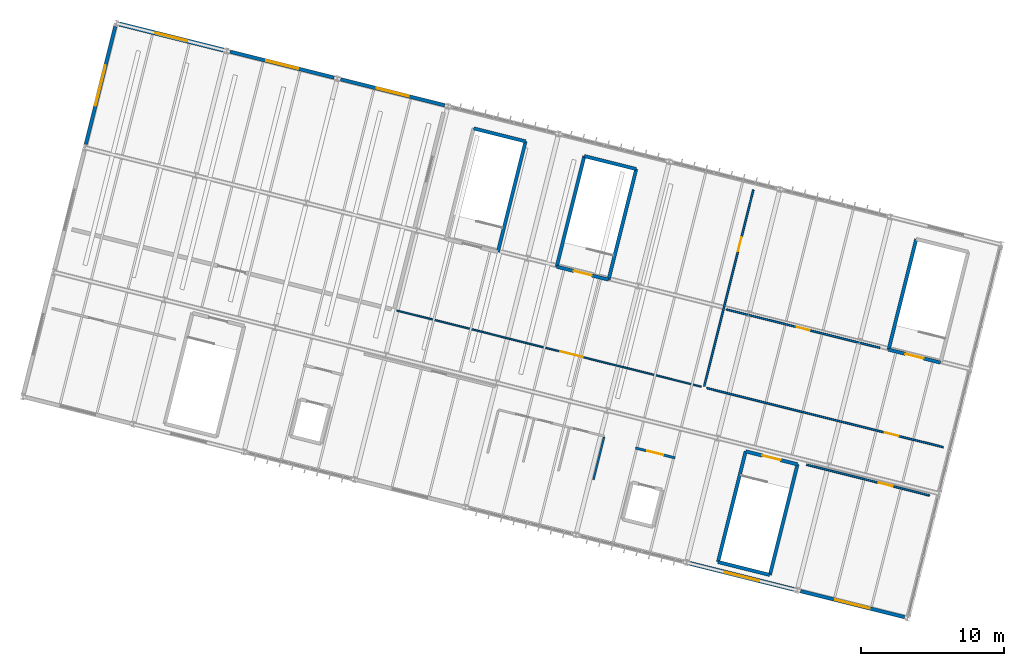
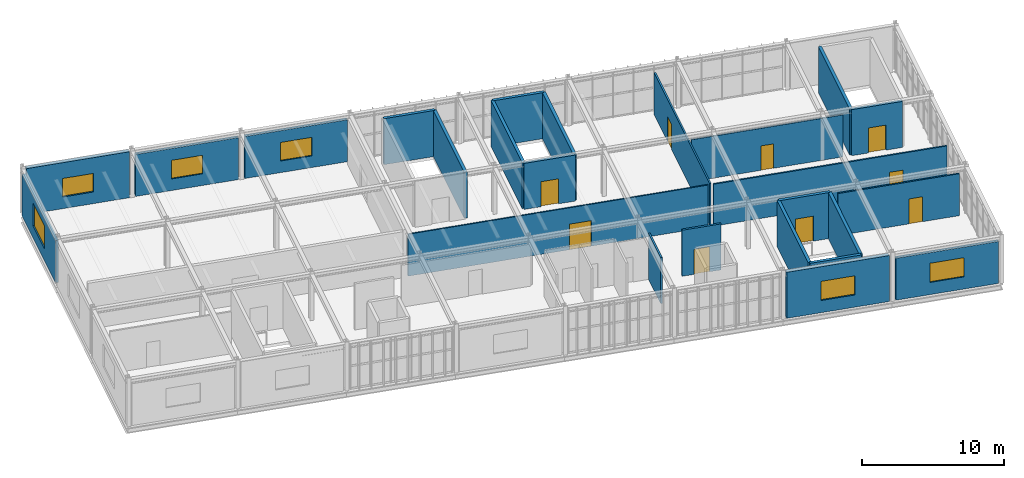
# One storey, part 24 of 30: 25 walls, 9 doors, 6 windows, 15 openings.
"""IFC4 building model written with IfcOpenShell, lengths in metres."""

from ifc_helpers import new_model, si_unit, derived_unit, direction, frame, frame_2d, origin, place, context, subcontext, project, spatial, rectangle, extrude, material, layer, layer_set, type_object, element, fill, save


model = new_model("IFC4")

# Units and contexts
model_context = context("Model", 3, precision=1e-05, world=origin(), true_north=direction((0.0, 1.0)))
body_context = subcontext(model_context, "Body", "Model", "MODEL_VIEW")
ifc_project = project(units=[si_unit("LENGTHUNIT", "METRE"), si_unit("AREAUNIT", "SQUARE_METRE"), si_unit("VOLUMEUNIT", "CUBIC_METRE"), si_unit("PLANEANGLEUNIT", "RADIAN"), si_unit("MASSUNIT", "GRAM", prefix="KILO"), si_unit("THERMODYNAMICTEMPERATUREUNIT", "KELVIN"), si_unit("TIMEUNIT", "SECOND"), derived_unit("THERMALTRANSMITTANCEUNIT", [(si_unit("MASSUNIT", "GRAM", prefix="KILO"), 1), (si_unit("THERMODYNAMICTEMPERATUREUNIT", "KELVIN"), -1), (si_unit("TIMEUNIT", "SECOND"), -3)])], contexts=[model_context])

# Site, building, storey
site_placement = place(None, origin())
site = spatial("IfcSite", under=ifc_project, at=site_placement, CompositionType="ELEMENT")
building_placement = place(site_placement, origin())
building = spatial("IfcBuilding", under=site, at=building_placement, Name="Cambertide Market Hall", CompositionType="ELEMENT")
storey_placement = place(building_placement, frame((0.0, 0.0, 14.10009765625)))
storey = spatial("IfcBuildingStorey", under=building, at=storey_placement, Name="L04", CompositionType="ELEMENT", Elevation=14.10009765625)

# Wall, opening, window
ifc_material_1 = material(Name="Concrete B35", Category="concrete")
ifc_layer_1 = layer(ifc_material_1, 0.31494140625, Name="Auditorium Crown Shear Wall 315")
ifc_layer_set_1 = layer_set([ifc_layer_1], Name="Concrete B35")
wall_type_1 = type_object("IfcWallType", Name="Auditorium Crown Shear Wall 315", PredefinedType="SHEAR", material=ifc_layer_set_1)
wall_1_placement = place(storey_placement, frame((114.78125, 126.1357421875, 0.0), z_axis=(0.0, 0.0, 1.0), x_axis=(0.970138680536, -0.242550902961, 0.0)))
wall_1 = element("IfcWall", 1, at=wall_1_placement, inside=storey, type_object=wall_type_1, Name="Level 4 Exterior Wall EW-L04-V4N-1", PredefinedType="SHEAR", context=body_context, shape_type="SweptSolid", body=[
    extrude(rectangle(XDim=7.52001953125, YDim=0.31494140625, at=frame_2d((3.760009765625, 0.0))), origin(), (0.0, 0.0, 1.0), 3.9599609375),
])
opening_1_placement = place(wall_1_placement, frame((2.610107421875, 0.0, 1.0)))
opening_1 = element("IfcOpeningElement", 2, at=opening_1_placement, cuts=wall_1, Name="Opening WN-09B", PredefinedType="OPENING", context=body_context, shape_type="SweptSolid", body=[
    extrude(rectangle(XDim=2.300048828125, YDim=1.60009765625, at=frame_2d((1.14990234375, 0.800048828125))), frame((0.0, 0.16748046875, 0.0), z_axis=(0.0, -1.0, 0.0), x_axis=(1.0, 0.0, 0.0)), (0.0, 0.0, 1.0), 0.3349609375),
])
ifc_material_2 = material(Name="Low-E Laminated Insulated Glass", Category="glass")
window_type_1 = type_object("IfcWindowType", Name="Auditorium Foyer Window 2300x1600", PartitioningType="SINGLE_PANEL", PredefinedType="WINDOW", material=ifc_material_2)
window_1_placement = place(opening_1_placement, origin())
window_1 = element("IfcWindow", 3, at=window_1_placement, inside=storey, type_object=window_type_1, Name="Level 4 Window EW-L04-V4N-1-WN", OverallHeight=1.60009765625, OverallWidth=2.300048828125, PartitioningType="SINGLE_PANEL", PredefinedType="WINDOW", context=body_context, shape_type="SweptSolid", body=[
    extrude(rectangle(XDim=2.300048828125, YDim=1.60009765625, at=frame_2d((1.14990234375, 0.800048828125))), frame((0.0, 0.030029296875, 0.0), z_axis=(0.0, -1.0, 0.0), x_axis=(1.0, 0.0, 0.0)), (0.0, 0.0, 1.0), 0.06005859375),
])
fill(opening_1, window_1)

# Wall, opening, door
ifc_material_3 = material(Name="Autoclaved Aerated Concrete Blockwork M7.5", Category="masonry")
ifc_layer_2 = layer(ifc_material_3, 0.10498046875, Name="Herb Conservatory Glazed Partition 105")
ifc_layer_set_2 = layer_set([ifc_layer_2], Name="Autoclaved Aerated Concrete Blockwork M7.5")
wall_type_2 = type_object("IfcWallType", Name="Herb Conservatory Glazed Partition 105", PredefinedType="PARTITIONING", material=ifc_layer_set_2)
wall_2_placement = place(storey_placement, frame((134.247314453125, 106.0341796875, 0.0), z_axis=(0.0, 0.0, 1.0), x_axis=(0.970143152928, -0.24253301389, 0.0)))
wall_2 = element("IfcWall", 4, at=wall_2_placement, inside=storey, type_object=wall_type_2, Name="Level 4 Interior Wall IW-L04-CONS", PredefinedType="PARTITIONING", context=body_context, shape_type="SweptSolid", body=[
    extrude(rectangle(XDim=21.999755859375, YDim=0.10498046875, at=frame_2d((11.0, 0.0))), origin(), (0.0, 0.0, 1.0), 3.60986328125),
])
opening_2_placement = place(wall_2_placement, frame((11.83203125, 0.0, 0.0)))
opening_2 = element("IfcOpeningElement", 5, at=opening_2_placement, cuts=wall_2, Name="Opening ID-01", PredefinedType="OPENING", context=body_context, shape_type="SweptSolid", body=[
    extrude(rectangle(XDim=1.60009765625, YDim=2.199951171875, at=frame_2d((0.800048828125, 1.10009765625))), frame((0.0, 0.0625, 0.0), z_axis=(0.0, -1.0, 0.0), x_axis=(1.0, 0.0, 0.0)), (0.0, 0.0, 1.0), 0.125),
])
ifc_material_4 = material(Name="Champagne Marine Anodized Aluminium 6063-T6 AA25", Category="aluminium")
door_type_1 = type_object("IfcDoorType", Name="Classroom & Hall Double Door 1600x2200", OperationType="DOUBLE_DOOR_SINGLE_SWING", PredefinedType="DOOR", material=ifc_material_4)
door_1_placement = place(opening_2_placement, origin())
door_1 = element("IfcDoor", 6, at=door_1_placement, inside=storey, type_object=door_type_1, Name="Level 4 Door IW-L04-CONS-DR1", OperationType="DOUBLE_DOOR_SINGLE_SWING", OverallHeight=2.199951171875, OverallWidth=1.60009765625, PredefinedType="DOOR", context=body_context, shape_type="SweptSolid", body=[
    extrude(rectangle(XDim=1.60009765625, YDim=2.199951171875, at=frame_2d((0.800048828125, 1.10009765625))), frame((0.0, 0.02490234375, 0.0), z_axis=(0.0, -1.0, 0.0), x_axis=(1.0, 0.0, 0.0)), (0.0, 0.0, 1.0), 0.050048828125),
])
fill(opening_2, door_1)

# Wall, opening, window
ifc_material_5 = material(Name="Autoclaved Aerated Concrete Blockwork M7.5", Category="masonry")
ifc_layer_3 = layer(ifc_material_5, 0.25, Name="Insulated AAC Exterior Infill Wall 250")
ifc_layer_set_3 = layer_set([ifc_layer_3], Name="Autoclaved Aerated Concrete Blockwork M7.5")
wall_type_3 = type_object("IfcWallType", Name="Insulated AAC Exterior Infill Wall 250", PredefinedType="SOLIDWALL", material=ifc_layer_set_3)
wall_3_placement = place(storey_placement, frame((122.54248046875, 124.1953125, 0.0), z_axis=(0.0, 0.0, 1.0), x_axis=(0.970146319544, -0.242520346931, 0.0)))
wall_3 = element("IfcWall", 7, at=wall_3_placement, inside=storey, type_object=wall_type_3, Name="Level 4 Exterior Wall EW-L04-V4N-2", PredefinedType="SOLIDWALL", context=body_context, shape_type="SweptSolid", body=[
    extrude(rectangle(XDim=7.52001953125, YDim=0.25, at=frame_2d((3.760009765625, 0.0))), origin(), (0.0, 0.0, 1.0), 3.60986328125),
])
opening_3_placement = place(wall_3_placement, frame((2.610107421875, 0.0, 1.0)))
opening_3 = element("IfcOpeningElement", 8, at=opening_3_placement, cuts=wall_3, Name="Opening WN-09B", PredefinedType="OPENING", context=body_context, shape_type="SweptSolid", body=[
    extrude(rectangle(XDim=2.300048828125, YDim=1.60009765625, at=frame_2d((1.14990234375, 0.800048828125))), frame((0.0, 0.135009765625, 0.0), z_axis=(0.0, -1.0, 0.0), x_axis=(1.0, 0.0, 0.0)), (0.0, 0.0, 1.0), 0.27001953125),
])
window_2_placement = place(opening_3_placement, origin())
window_2 = element("IfcWindow", 9, at=window_2_placement, inside=storey, type_object=window_type_1, Name="Level 4 Window EW-L04-V4N-2-WN", OverallHeight=1.60009765625, OverallWidth=2.300048828125, PartitioningType="SINGLE_PANEL", PredefinedType="WINDOW", context=body_context, shape_type="SweptSolid", body=[
    extrude(rectangle(XDim=2.300048828125, YDim=1.60009765625, at=frame_2d((1.14990234375, 0.800048828125))), frame((0.0, 0.030029296875, 0.0), z_axis=(0.0, -1.0, 0.0), x_axis=(1.0, 0.0, 0.0)), (0.0, 0.0, 1.0), 0.06005859375),
])
fill(opening_3, window_2)

wall_4_placement = place(storey_placement, frame((130.303466796875, 122.255126953125, 0.0), z_axis=(0.0, 0.0, 1.0), x_axis=(0.970140590431, -0.242543263766, 0.0)))
wall_4 = element("IfcWall", 10, at=wall_4_placement, inside=storey, type_object=wall_type_3, Name="Level 4 Exterior Wall EW-L04-V4N-3", PredefinedType="SOLIDWALL", context=body_context, shape_type="SweptSolid", body=[
    extrude(rectangle(XDim=7.520263671875, YDim=0.25, at=frame_2d((3.76025390625, 0.0))), origin(), (0.0, 0.0, 1.0), 3.60986328125),
])
opening_4_placement = place(wall_4_placement, frame((2.610107421875, 0.0, 1.0)))
opening_4 = element("IfcOpeningElement", 11, at=opening_4_placement, cuts=wall_4, Name="Opening WN-09B", PredefinedType="OPENING", context=body_context, shape_type="SweptSolid", body=[
    extrude(rectangle(XDim=2.300048828125, YDim=1.60009765625, at=frame_2d((1.14990234375, 0.800048828125))), frame((0.0, 0.135009765625, 0.0), z_axis=(0.0, -1.0, 0.0), x_axis=(1.0, 0.0, 0.0)), (0.0, 0.0, 1.0), 0.27001953125),
])
window_3_placement = place(opening_4_placement, origin())
window_3 = element("IfcWindow", 12, at=window_3_placement, inside=storey, type_object=window_type_1, Name="Level 4 Window EW-L04-V4N-3-WN", OverallHeight=1.60009765625, OverallWidth=2.300048828125, PartitioningType="SINGLE_PANEL", PredefinedType="WINDOW", context=body_context, shape_type="SweptSolid", body=[
    extrude(rectangle(XDim=2.300048828125, YDim=1.60009765625, at=frame_2d((1.14990234375, 0.800048828125))), frame((0.0, 0.030029296875, 0.0), z_axis=(0.0, -1.0, 0.0), x_axis=(1.0, 0.0, 0.0)), (0.0, 0.0, 1.0), 0.06005859375),
])
fill(opening_4, window_3)

wall_5_placement = place(storey_placement, frame((169.856201171875, 84.535888671875, 0.0), z_axis=(0.0, 0.0, 1.0), x_axis=(-0.970138680536, 0.242550902961, 0.0)))
wall_5 = element("IfcWall", 13, at=wall_5_placement, inside=storey, type_object=wall_type_3, Name="Level 4 Exterior Wall EW-L04-V4S-8", PredefinedType="SOLIDWALL", context=body_context, shape_type="SweptSolid", body=[
    extrude(rectangle(XDim=7.52001953125, YDim=0.25, at=frame_2d((3.760009765625, 0.0))), origin(), (0.0, 0.0, 1.0), 3.60986328125),
])
opening_5_placement = place(wall_5_placement, frame((2.510009765625, 0.0, 1.050048828125)))
opening_5 = element("IfcOpeningElement", 14, at=opening_5_placement, cuts=wall_5, Name="Opening WN-09", PredefinedType="OPENING", context=body_context, shape_type="SweptSolid", body=[
    extrude(rectangle(XDim=2.5, YDim=1.64990234375, at=frame_2d((1.25, 0.824951171875))), frame((0.0, 0.135009765625, 0.0), z_axis=(0.0, -1.0, 0.0), x_axis=(1.0, 0.0, 0.0)), (0.0, 0.0, 1.0), 0.27001953125),
])
ifc_material_6 = material(Name="Low-E Laminated Insulated Glass", Category="glass")
window_type_2 = type_object("IfcWindowType", Name="Market Admin Office Window 2500x1650", PartitioningType="SINGLE_PANEL", PredefinedType="WINDOW", material=ifc_material_6)
window_4_placement = place(opening_5_placement, origin())
window_4 = element("IfcWindow", 15, at=window_4_placement, inside=storey, type_object=window_type_2, Name="Level 4 Window EW-L04-V4S-8-WN", OverallHeight=1.64990234375, OverallWidth=2.5, PartitioningType="SINGLE_PANEL", PredefinedType="WINDOW", context=body_context, shape_type="SweptSolid", body=[
    extrude(rectangle(XDim=2.5, YDim=1.64990234375, at=frame_2d((1.25, 0.824951171875))), frame((0.0, 0.030029296875, 0.0), z_axis=(0.0, -1.0, 0.0), x_axis=(1.0, 0.0, 0.0)), (0.0, 0.0, 1.0), 0.06005859375),
])
fill(opening_5, window_4)

wall_6_placement = place(storey_placement, frame((112.423828125, 117.6953125, 0.0), z_axis=(0.0, 0.0, 1.0), x_axis=(0.242535625036, 0.970142500145, 0.0)))
wall_6 = element("IfcWall", 16, at=wall_6_placement, inside=storey, type_object=wall_type_3, Name="Level 4 Exterior Wall EW-L04-V4W-3", PredefinedType="SOLIDWALL", context=body_context, shape_type="SweptSolid", body=[
    extrude(rectangle(XDim=8.52001953125, YDim=0.25, at=frame_2d((4.260009765625, 0.0))), origin(), (0.0, 0.0, 1.0), 3.60986328125),
])
opening_6_placement = place(wall_6_placement, frame((2.81005859375, 0.0, 1.050048828125)))
opening_6 = element("IfcOpeningElement", 17, at=opening_6_placement, cuts=wall_6, Name="Opening WN-07", PredefinedType="OPENING", context=body_context, shape_type="SweptSolid", body=[
    extrude(rectangle(XDim=2.89990234375, YDim=1.949951171875, at=frame_2d((1.449951171875, 0.97509765625))), frame((0.0, 0.135009765625, 0.0), z_axis=(0.0, -1.0, 0.0), x_axis=(1.0, 0.0, 0.0)), (0.0, 0.0, 1.0), 0.27001953125),
])
ifc_material_7 = material(Name="Low-E Laminated Insulated Glass", Category="glass")
window_type_3 = type_object("IfcWindowType", Name="Spice Hall Punched Window 2900x1950", PartitioningType="SINGLE_PANEL", PredefinedType="WINDOW", material=ifc_material_7)
window_5_placement = place(opening_6_placement, origin())
window_5 = element("IfcWindow", 18, at=window_5_placement, inside=storey, type_object=window_type_3, Name="Level 4 Window EW-L04-V4W-3-WN", OverallHeight=1.949951171875, OverallWidth=2.89990234375, PartitioningType="SINGLE_PANEL", PredefinedType="WINDOW", context=body_context, shape_type="SweptSolid", body=[
    extrude(rectangle(XDim=2.89990234375, YDim=1.949951171875, at=frame_2d((1.449951171875, 0.97509765625))), frame((0.0, 0.030029296875, 0.0), z_axis=(0.0, -1.0, 0.0), x_axis=(1.0, 0.0, 0.0)), (0.0, 0.0, 1.0), 0.06005859375),
])
fill(opening_6, window_5)

# Wall, opening, door
ifc_material_8 = material(Name="Autoclaved Aerated Concrete Blockwork M7.5", Category="masonry")
ifc_layer_4 = layer(ifc_material_8, 0.169921875, Name="Lift Lobby Fire Partition 170")
ifc_layer_set_4 = layer_set([ifc_layer_4], Name="Autoclaved Aerated Concrete Blockwork M7.5")
wall_type_4 = type_object("IfcWallType", Name="Lift Lobby Fire Partition 170", PredefinedType="PARTITIONING", material=ifc_layer_set_4)
wall_7_placement = place(storey_placement, frame((150.979736328125, 96.398193359375, 0.0), z_axis=(0.0, 0.0, 1.0), x_axis=(0.970147521275, -0.242515539634, 0.0)))
wall_7 = element("IfcWall", 19, at=wall_7_placement, inside=storey, type_object=wall_type_4, Name="Level 4 Interior Wall LLW-LP-04-L04", PredefinedType="PARTITIONING", context=body_context, shape_type="SweptSolid", body=[
    extrude(rectangle(XDim=2.860107421875, YDim=0.169921875, at=frame_2d((1.43017578125, 0.0))), origin(), (0.0, 0.0, 1.0), 3.9599609375),
])
opening_7_placement = place(wall_7_placement, frame((0.85498046875, 0.0, 0.0)))
opening_7 = element("IfcOpeningElement", 20, at=opening_7_placement, cuts=wall_7, Name="Opening KD-02", PredefinedType="OPENING", context=body_context, shape_type="SweptSolid", body=[
    extrude(rectangle(XDim=1.14990234375, YDim=2.14990234375, at=frame_2d((0.574951171875, 1.074951171875))), frame((0.0, 0.094970703125, 0.0), z_axis=(0.0, -1.0, 0.0), x_axis=(1.0, 0.0, 0.0)), (0.0, 0.0, 1.0), 0.18994140625),
])
ifc_material_9 = material(Name="Stainless Steel Grade 316", Category="metal")
door_type_2 = type_object("IfcDoorType", Name="Lift Lobby Smoke-Stop Door 1150x2150", OperationType="NOTDEFINED", PredefinedType="DOOR", material=ifc_material_9)
door_2_placement = place(opening_7_placement, origin())
door_2 = element("IfcDoor", 21, at=door_2_placement, inside=storey, type_object=door_type_2, Name="Level 4 Door LLW-LP-04-L04-DR1", OperationType="SINGLE_SWING_RIGHT", OverallHeight=2.14990234375, OverallWidth=1.14990234375, PredefinedType="DOOR", context=body_context, shape_type="SweptSolid", body=[
    extrude(rectangle(XDim=1.14990234375, YDim=2.14990234375, at=frame_2d((0.574951171875, 1.074951171875))), frame((0.0, 0.02490234375, 0.0), z_axis=(0.0, -1.0, 0.0), x_axis=(1.0, 0.0, 0.0)), (0.0, 0.0, 1.0), 0.050048828125),
])
fill(opening_7, door_2)

ifc_material_10 = material(Name="Autoclaved Aerated Concrete Blockwork M7.5", Category="masonry")
ifc_layer_5 = layer(ifc_material_10, 0.125, Name="Market Stall & Office Partition 125")
ifc_layer_set_5 = layer_set([ifc_layer_5], Name="Autoclaved Aerated Concrete Blockwork M7.5")
wall_type_5 = type_object("IfcWallType", Name="Market Stall & Office Partition 125", PredefinedType="PARTITIONING", material=ifc_layer_set_5)
wall_8_placement = place(storey_placement, frame((155.978515625, 100.6015625, 0.0), z_axis=(0.0, 0.0, 1.0), x_axis=(0.970140820443, -0.242542343748, 0.0)))
wall_8 = element("IfcWall", 22, at=wall_8_placement, inside=storey, type_object=wall_type_5, Name="Level 4 Interior Wall IW-L04-MGMT", PredefinedType="PARTITIONING", context=body_context, shape_type="SweptSolid", body=[
    extrude(rectangle(XDim=17.099853515625, YDim=0.125, at=frame_2d((8.5498046875, 0.0))), origin(), (0.0, 0.0, 1.0), 3.60986328125),
])
opening_8_placement = place(wall_8_placement, frame((12.8798828125, 0.0, 0.0)))
opening_8 = element("IfcOpeningElement", 23, at=opening_8_placement, cuts=wall_8, Name="Opening ID-03", PredefinedType="OPENING", context=body_context, shape_type="SweptSolid", body=[
    extrude(rectangle(XDim=1.0, YDim=2.14990234375, at=frame_2d((0.5, 1.074951171875))), frame((0.0, 0.072509765625, 0.0), z_axis=(0.0, -1.0, 0.0), x_axis=(1.0, 0.0, 0.0)), (0.0, 0.0, 1.0), 0.14501953125),
])
ifc_material_11 = material(Name="Champagne Marine Anodized Aluminium 6063-T6 AA25", Category="aluminium")
door_type_3 = type_object("IfcDoorType", Name="Accessible Room Single Door 1000x2150", OperationType="NOTDEFINED", PredefinedType="DOOR", material=ifc_material_11)
door_3_placement = place(opening_8_placement, origin())
door_3 = element("IfcDoor", 24, at=door_3_placement, inside=storey, type_object=door_type_3, Name="Level 4 Door IW-L04-MGMT-DR1", OperationType="SINGLE_SWING_RIGHT", OverallHeight=2.14990234375, OverallWidth=1.0, PredefinedType="DOOR", context=body_context, shape_type="SweptSolid", body=[
    extrude(rectangle(XDim=1.0, YDim=2.14990234375, at=frame_2d((0.5, 1.074951171875))), frame((0.0, 0.02490234375, 0.0), z_axis=(0.0, -1.0, 0.0), x_axis=(1.0, 0.0, 0.0)), (0.0, 0.0, 1.0), 0.050048828125),
])
fill(opening_8, door_3)

wall_9_placement = place(storey_placement, frame((155.8037109375, 100.7275390625, 0.0), z_axis=(0.0, 0.0, 1.0), x_axis=(0.242539670413, 0.970141488792, 0.0)))
wall_9 = element("IfcWall", 25, at=wall_9_placement, inside=storey, type_object=wall_type_5, Name="Level 4 Interior Wall IW-L04-DIV2", PredefinedType="PARTITIONING", context=body_context, shape_type="SweptSolid", body=[
    extrude(rectangle(XDim=14.2001953125, YDim=0.125, at=frame_2d((7.10009765625, 0.0))), origin(), (0.0, 0.0, 1.0), 3.60986328125),
])
opening_9_placement = place(wall_9_placement, frame((9.76806640625, 0.0, 0.0)))
opening_9 = element("IfcOpeningElement", 26, at=opening_9_placement, cuts=wall_9, Name="Opening ID-03", PredefinedType="OPENING", context=body_context, shape_type="SweptSolid", body=[
    extrude(rectangle(XDim=1.0, YDim=2.14990234375, at=frame_2d((0.5, 1.074951171875))), frame((0.0, 0.072509765625, 0.0), z_axis=(0.0, -1.0, 0.0), x_axis=(1.0, 0.0, 0.0)), (0.0, 0.0, 1.0), 0.14501953125),
])
door_4_placement = place(opening_9_placement, origin())
door_4 = element("IfcDoor", 27, at=door_4_placement, inside=storey, type_object=door_type_3, Name="Level 4 Door IW-L04-DIV2-DR1", OperationType="SINGLE_SWING_LEFT", OverallHeight=2.14990234375, OverallWidth=1.0, PredefinedType="DOOR", context=body_context, shape_type="SweptSolid", body=[
    extrude(rectangle(XDim=1.0, YDim=2.14990234375, at=frame_2d((0.5, 1.074951171875))), frame((0.0, 0.02490234375, 0.0), z_axis=(0.0, -1.0, 0.0), x_axis=(1.0, 0.0, 0.0)), (0.0, 0.0, 1.0), 0.050048828125),
])
fill(opening_9, door_4)

wall_10_placement = place(storey_placement, frame((157.35595703125, 106.11181640625, 0.0), z_axis=(0.0, 0.0, 1.0), x_axis=(0.970142500145, -0.242535625036, 0.0)))
wall_10 = element("IfcWall", 28, at=wall_10_placement, inside=storey, type_object=wall_type_5, Name="Level 4 Interior Wall IW-L04-DIV3", PredefinedType="PARTITIONING", context=body_context, shape_type="SweptSolid", body=[
    extrude(rectangle(XDim=11.099853515625, YDim=0.125, at=frame_2d((5.5498046875, 0.0))), origin(), (0.0, 0.0, 1.0), 3.60986328125),
])
opening_10_placement = place(wall_10_placement, frame((5.090087890625, 0.0, 0.0)))
opening_10 = element("IfcOpeningElement", 29, at=opening_10_placement, cuts=wall_10, Name="Opening ID-06", PredefinedType="OPENING", context=body_context, shape_type="SweptSolid", body=[
    extrude(rectangle(XDim=0.919921875, YDim=2.10009765625, at=frame_2d((0.4599609375, 1.050048828125))), frame((0.0, 0.072509765625, 0.0), z_axis=(0.0, -1.0, 0.0), x_axis=(1.0, 0.0, 0.0)), (0.0, 0.0, 1.0), 0.14501953125),
])
ifc_material_12 = material(Name="Champagne Marine Anodized Aluminium 6063-T6 AA25", Category="aluminium")
door_type_4 = type_object("IfcDoorType", Name="Cooperative Office Single Door 920x2100", OperationType="NOTDEFINED", PredefinedType="DOOR", material=ifc_material_12)
door_5_placement = place(opening_10_placement, origin())
door_5 = element("IfcDoor", 30, at=door_5_placement, inside=storey, type_object=door_type_4, Name="Level 4 Door IW-L04-DIV3-DR1", OperationType="SINGLE_SWING_RIGHT", OverallHeight=2.10009765625, OverallWidth=0.919921875, PredefinedType="DOOR", context=body_context, shape_type="SweptSolid", body=[
    extrude(rectangle(XDim=0.919921875, YDim=2.10009765625, at=frame_2d((0.4599609375, 1.050048828125))), frame((0.0, 0.02490234375, 0.0), z_axis=(0.0, -1.0, 0.0), x_axis=(1.0, 0.0, 0.0)), (0.0, 0.0, 1.0), 0.050048828125),
])
fill(opening_10, door_5)

wall_11_placement = place(storey_placement, frame((162.98291015625, 95.22216796875, 0.0), z_axis=(0.0, 0.0, 1.0), x_axis=(0.970139272835, -0.242548533914, 0.0)))
wall_11 = element("IfcWall", 31, at=wall_11_placement, inside=storey, type_object=wall_type_5, Name="Level 4 Interior Wall IW-L04-V4S3", PredefinedType="PARTITIONING", context=body_context, shape_type="SweptSolid", body=[
    extrude(rectangle(XDim=8.900146484375, YDim=0.125, at=frame_2d((4.4501953125, 0.0))), origin(), (0.0, 0.0, 1.0), 3.60986328125),
])
opening_11_placement = place(wall_11_placement, frame((5.214111328125, 0.0, 0.0)))
opening_11 = element("IfcOpeningElement", 32, at=opening_11_placement, cuts=wall_11, Name="Opening ID-03", PredefinedType="OPENING", context=body_context, shape_type="SweptSolid", body=[
    extrude(rectangle(XDim=1.0, YDim=2.14990234375, at=frame_2d((0.5, 1.074951171875))), frame((0.0, 0.072509765625, 0.0), z_axis=(0.0, -1.0, 0.0), x_axis=(1.0, 0.0, 0.0)), (0.0, 0.0, 1.0), 0.14501953125),
])
door_6_placement = place(opening_11_placement, origin())
door_6 = element("IfcDoor", 33, at=door_6_placement, inside=storey, type_object=door_type_3, Name="Level 4 Door IW-L04-V4S3-DR1", OperationType="SINGLE_SWING_RIGHT", OverallHeight=2.14990234375, OverallWidth=1.0, PredefinedType="DOOR", context=body_context, shape_type="SweptSolid", body=[
    extrude(rectangle(XDim=1.0, YDim=2.14990234375, at=frame_2d((0.5, 1.074951171875))), frame((0.0, 0.02490234375, 0.0), z_axis=(0.0, -1.0, 0.0), x_axis=(1.0, 0.0, 0.0)), (0.0, 0.0, 1.0), 0.050048828125),
])
fill(opening_11, door_6)

# Walls
ifc_material_13 = material(Name="Autoclaved Aerated Concrete Blockwork M7.5", Category="masonry")
ifc_layer_6 = layer(ifc_material_13, 0.139892578125, Name="Sanitary & Wet-Area Masonry Partition 140")
ifc_layer_set_6 = layer_set([ifc_layer_6], Name="Autoclaved Aerated Concrete Blockwork M7.5")
wall_type_6 = type_object("IfcWallType", Name="Sanitary & Wet-Area Masonry Partition 140", PredefinedType="PARTITIONING", material=ifc_layer_set_6)
wall_12_placement = place(storey_placement, frame((148.030517578125, 94.1669921875, 0.0), z_axis=(0.0, 0.0, 1.0), x_axis=(0.242554154721, 0.970137867536, 0.0)))
element("IfcWall", 34, at=wall_12_placement, inside=storey, type_object=wall_type_6, Name="Level 4 Interior Wall WCW-L04-L04A-R", PredefinedType="PARTITIONING", context=body_context, shape_type="SweptSolid", body=[
    extrude(rectangle(XDim=3.10009765625, YDim=0.139892578125, at=frame_2d((1.550048828125, 0.0))), origin(), (0.0, 0.0, 1.0), 3.9599609375),
])
ifc_material_14 = material(Name="Concrete B35", Category="concrete")
ifc_layer_7 = layer(ifc_material_14, 0.239990234375, Name="Stair & Lift Core Shaft Wall 240")
ifc_layer_set_7 = layer_set([ifc_layer_7], Name="Concrete B35")
wall_type_7 = type_object("IfcWallType", Name="Stair & Lift Core Shaft Wall 240", PredefinedType="SOLIDWALL", material=ifc_layer_set_7)
wall_13_placement = place(storey_placement, frame((143.270751953125, 117.9052734375, 0.0), z_axis=(0.0, 0.0, 1.0), x_axis=(-0.242521263911, -0.970146090314, 0.0)))
element("IfcWall", 35, at=wall_13_placement, inside=storey, type_object=wall_type_7, Name="Level 4 Interior Wall SHW-ST-07B-L04-L", PredefinedType="SOLIDWALL", context=body_context, shape_type="SweptSolid", body=[
    extrude(rectangle(XDim=8.0, YDim=0.239990234375, at=frame_2d((4.0, 0.0))), origin(), (0.0, 0.0, 1.0), 3.9599609375),
])
wall_14_placement = place(storey_placement, frame((139.6328125, 118.814697265625, 0.0), z_axis=(0.0, 0.0, 1.0), x_axis=(0.970146329796, -0.242520305918, 0.0)))
element("IfcWall", 36, at=wall_14_placement, inside=storey, type_object=wall_type_7, Name="Level 4 Interior Wall SHW-ST-07B-L04-FAR", PredefinedType="SOLIDWALL", context=body_context, shape_type="SweptSolid", body=[
    extrude(rectangle(XDim=3.75, YDim=0.239990234375, at=frame_2d((1.875, 0.0))), origin(), (0.0, 0.0, 1.0), 3.9599609375),
])

# Wall, opening, door
wall_15_placement = place(storey_placement, frame((158.7080078125, 96.161865234375, 0.0), z_axis=(0.0, 0.0, 1.0), x_axis=(0.970150158722, -0.242504988675, 0.0)))
wall_15 = element("IfcWall", 37, at=wall_15_placement, inside=storey, type_object=wall_type_7, Name="Level 4 Interior Wall SHW-ST-08A-L04-NEAR", PredefinedType="SOLIDWALL", context=body_context, shape_type="SweptSolid", body=[
    extrude(rectangle(XDim=3.750244140625, YDim=0.239990234375, at=frame_2d((1.875, 0.0))), origin(), (0.0, 0.0, 1.0), 3.9599609375),
])
opening_12_placement = place(wall_15_placement, frame((1.22509765625, 0.0, 0.0)))
opening_12 = element("IfcOpeningElement", 38, at=opening_12_placement, cuts=wall_15, Name="Opening FD-01", PredefinedType="OPENING", context=body_context, shape_type="SweptSolid", body=[
    extrude(rectangle(XDim=1.300048828125, YDim=2.14990234375, at=frame_2d((0.64990234375, 1.074951171875))), frame((0.0, 0.1298828125, 0.0), z_axis=(0.0, -1.0, 0.0), x_axis=(1.0, 0.0, 0.0)), (0.0, 0.0, 1.0), 0.260009765625),
])
ifc_material_15 = material(Name="Powder-Coated Galvanized Sheet Metal", Category="metal")
door_type_5 = type_object("IfcDoorType", Name="Stair Core Fire Door 1300x2150", OperationType="NOTDEFINED", PredefinedType="DOOR", material=ifc_material_15)
door_7_placement = place(opening_12_placement, origin())
door_7 = element("IfcDoor", 39, at=door_7_placement, inside=storey, type_object=door_type_5, Name="Level 4 Door SHW-ST-08A-L04-NEAR-DR1", OperationType="SINGLE_SWING_LEFT", OverallHeight=2.14990234375, OverallWidth=1.300048828125, PredefinedType="DOOR", context=body_context, shape_type="SweptSolid", body=[
    extrude(rectangle(XDim=1.300048828125, YDim=2.14990234375, at=frame_2d((0.64990234375, 1.074951171875))), frame((0.0, 0.02490234375, 0.0), z_axis=(0.0, -1.0, 0.0), x_axis=(1.0, 0.0, 0.0)), (0.0, 0.0, 1.0), 0.050048828125),
])
fill(opening_12, door_7)

# Walls
wall_16_placement = place(storey_placement, frame((156.767822265625, 88.400634765625, 0.0), z_axis=(0.0, 0.0, 1.0), x_axis=(0.242521263911, 0.970146090314, 0.0)))
element("IfcWall", 40, at=wall_16_placement, inside=storey, type_object=wall_type_7, Name="Level 4 Interior Wall SHW-ST-08A-L04-L", PredefinedType="SOLIDWALL", context=body_context, shape_type="SweptSolid", body=[
    extrude(rectangle(XDim=8.0, YDim=0.239990234375, at=frame_2d((4.0, 0.0))), origin(), (0.0, 0.0, 1.0), 3.9599609375),
])
wall_17_placement = place(storey_placement, frame((160.406005859375, 87.4912109375, 0.0), z_axis=(0.0, 0.0, 1.0), x_axis=(-0.970150158722, 0.242504988675, 0.0)))
element("IfcWall", 41, at=wall_17_placement, inside=storey, type_object=wall_type_7, Name="Level 4 Interior Wall SHW-ST-08A-L04-FAR", PredefinedType="SOLIDWALL", context=body_context, shape_type="SweptSolid", body=[
    extrude(rectangle(XDim=3.750244140625, YDim=0.239990234375, at=frame_2d((1.875, 0.0))), origin(), (0.0, 0.0, 1.0), 3.9599609375),
])
wall_18_placement = place(storey_placement, frame((162.34619140625, 95.25244140625, 0.0), z_axis=(0.0, 0.0, 1.0), x_axis=(-0.242521263911, -0.970146090314, 0.0)))
element("IfcWall", 42, at=wall_18_placement, inside=storey, type_object=wall_type_7, Name="Level 4 Interior Wall SHW-ST-08A-L04-R", PredefinedType="SOLIDWALL", context=body_context, shape_type="SweptSolid", body=[
    extrude(rectangle(XDim=8.0, YDim=0.239990234375, at=frame_2d((4.0, 0.0))), origin(), (0.0, 0.0, 1.0), 3.9599609375),
])

# Wall, opening, door
wall_19_placement = place(storey_placement, frame((172.375, 102.3828125, 0.0), z_axis=(0.0, 0.0, 1.0), x_axis=(-0.970131009923, 0.242581581301, 0.0)))
wall_19 = element("IfcWall", 43, at=wall_19_placement, inside=storey, type_object=wall_type_7, Name="Level 4 Interior Wall SHW-ST-08B-L04-NEAR", PredefinedType="SOLIDWALL", context=body_context, shape_type="SweptSolid", body=[
    extrude(rectangle(XDim=3.75, YDim=0.239990234375, at=frame_2d((1.875, 0.0))), origin(), (0.0, 0.0, 1.0), 3.9599609375),
])
opening_13_placement = place(wall_19_placement, frame((1.22509765625, 0.0, 0.0)))
opening_13 = element("IfcOpeningElement", 44, at=opening_13_placement, cuts=wall_19, Name="Opening FD-01", PredefinedType="OPENING", context=body_context, shape_type="SweptSolid", body=[
    extrude(rectangle(XDim=1.300048828125, YDim=2.14990234375, at=frame_2d((0.64990234375, 1.074951171875))), frame((0.0, 0.1298828125, 0.0), z_axis=(0.0, -1.0, 0.0), x_axis=(1.0, 0.0, 0.0)), (0.0, 0.0, 1.0), 0.260009765625),
])
door_8_placement = place(opening_13_placement, origin())
door_8 = element("IfcDoor", 45, at=door_8_placement, inside=storey, type_object=door_type_5, Name="Level 4 Door SHW-ST-08B-L04-NEAR-DR1", OperationType="SINGLE_SWING_RIGHT", OverallHeight=2.14990234375, OverallWidth=1.300048828125, PredefinedType="DOOR", context=body_context, shape_type="SweptSolid", body=[
    extrude(rectangle(XDim=1.300048828125, YDim=2.14990234375, at=frame_2d((0.64990234375, 1.074951171875))), frame((0.0, 0.02490234375, 0.0), z_axis=(0.0, -1.0, 0.0), x_axis=(1.0, 0.0, 0.0)), (0.0, 0.0, 1.0), 0.050048828125),
])
fill(opening_13, door_8)

# Wall
wall_20_placement = place(storey_placement, frame((168.737060546875, 103.29248046875, 0.0), z_axis=(0.0, 0.0, 1.0), x_axis=(0.242521263911, 0.970146090314, 0.0)))
element("IfcWall", 46, at=wall_20_placement, inside=storey, type_object=wall_type_7, Name="Level 4 Interior Wall SHW-ST-08B-L04-R", PredefinedType="SOLIDWALL", context=body_context, shape_type="SweptSolid", body=[
    extrude(rectangle(XDim=8.0, YDim=0.239990234375, at=frame_2d((4.0, 0.0))), origin(), (0.0, 0.0, 1.0), 3.9599609375),
])

# Wall, opening, door
wall_21_placement = place(storey_placement, frame((149.091552734375, 108.203857421875, 0.0), z_axis=(0.0, 0.0, 1.0), x_axis=(-0.970146329796, 0.242520305918, 0.0)))
wall_21 = element("IfcWall", 47, at=wall_21_placement, inside=storey, type_object=wall_type_7, Name="Level 4 Interior Wall SHW-ST-09-L04-NEAR", PredefinedType="SOLIDWALL", context=body_context, shape_type="SweptSolid", body=[
    extrude(rectangle(XDim=3.75, YDim=0.239990234375, at=frame_2d((1.875, 0.0))), origin(), (0.0, 0.0, 1.0), 3.9599609375),
])
opening_14_placement = place(wall_21_placement, frame((1.22509765625, 0.0, 0.0)))
opening_14 = element("IfcOpeningElement", 48, at=opening_14_placement, cuts=wall_21, Name="Opening FD-01", PredefinedType="OPENING", context=body_context, shape_type="SweptSolid", body=[
    extrude(rectangle(XDim=1.300048828125, YDim=2.14990234375, at=frame_2d((0.64990234375, 1.074951171875))), frame((0.0, 0.1298828125, 0.0), z_axis=(0.0, -1.0, 0.0), x_axis=(1.0, 0.0, 0.0)), (0.0, 0.0, 1.0), 0.260009765625),
])
door_9_placement = place(opening_14_placement, origin())
door_9 = element("IfcDoor", 49, at=door_9_placement, inside=storey, type_object=door_type_5, Name="Level 4 Door SHW-ST-09-L04-NEAR-DR1", OperationType="SINGLE_SWING_RIGHT", OverallHeight=2.14990234375, OverallWidth=1.300048828125, PredefinedType="DOOR", context=body_context, shape_type="SweptSolid", body=[
    extrude(rectangle(XDim=1.300048828125, YDim=2.14990234375, at=frame_2d((0.64990234375, 1.074951171875))), frame((0.0, 0.02490234375, 0.0), z_axis=(0.0, -1.0, 0.0), x_axis=(1.0, 0.0, 0.0)), (0.0, 0.0, 1.0), 0.050048828125),
])
fill(opening_14, door_9)

# Walls
wall_22_placement = place(storey_placement, frame((151.031982421875, 115.96484375, 0.0), z_axis=(0.0, 0.0, 1.0), x_axis=(-0.242557167103, -0.970137114374, 0.0)))
element("IfcWall", 50, at=wall_22_placement, inside=storey, type_object=wall_type_7, Name="Level 4 Interior Wall SHW-ST-09-L04-L", PredefinedType="SOLIDWALL", context=body_context, shape_type="SweptSolid", body=[
    extrude(rectangle(XDim=8.0, YDim=0.239990234375, at=frame_2d((4.0, 0.0))), origin(), (0.0, 0.0, 1.0), 3.9599609375),
])
wall_23_placement = place(storey_placement, frame((147.393798828125, 116.87451171875, 0.0), z_axis=(0.0, 0.0, 1.0), x_axis=(0.970134840723, -0.242566260672, 0.0)))
element("IfcWall", 51, at=wall_23_placement, inside=storey, type_object=wall_type_7, Name="Level 4 Interior Wall SHW-ST-09-L04-FAR", PredefinedType="SOLIDWALL", context=body_context, shape_type="SweptSolid", body=[
    extrude(rectangle(XDim=3.750244140625, YDim=0.239990234375, at=frame_2d((1.875, 0.0))), origin(), (0.0, 0.0, 1.0), 3.9599609375),
])
wall_24_placement = place(storey_placement, frame((145.45361328125, 109.11328125, 0.0), z_axis=(0.0, 0.0, 1.0), x_axis=(0.242521263911, 0.970146090314, 0.0)))
element("IfcWall", 52, at=wall_24_placement, inside=storey, type_object=wall_type_7, Name="Level 4 Interior Wall SHW-ST-09-L04-R", PredefinedType="SOLIDWALL", context=body_context, shape_type="SweptSolid", body=[
    extrude(rectangle(XDim=8.0, YDim=0.239990234375, at=frame_2d((4.0, 0.0))), origin(), (0.0, 0.0, 1.0), 3.9599609375),
])

# Wall, opening, window
ifc_material_16 = material(Name="Concrete B35", Category="concrete")
ifc_layer_8 = layer(ifc_material_16, 0.300048828125, Name="Structural Facade Shear Wall 300")
ifc_layer_set_8 = layer_set([ifc_layer_8], Name="Concrete B35")
wall_type_8 = type_object("IfcWallType", Name="Structural Facade Shear Wall 300", PredefinedType="SHEAR", material=ifc_layer_set_8)
wall_25_placement = place(storey_placement, frame((162.09521484375, 86.476318359375, 0.0), z_axis=(0.0, 0.0, 1.0), x_axis=(-0.970148228972, 0.242512708578, 0.0)))
wall_25 = element("IfcWall", 53, at=wall_25_placement, inside=storey, type_object=wall_type_8, Name="Level 4 Exterior Wall EW-L04-V4S-7", PredefinedType="SHEAR", context=body_context, shape_type="SweptSolid", body=[
    extrude(rectangle(XDim=7.520263671875, YDim=0.300048828125, at=frame_2d((3.76025390625, 0.0))), origin(), (0.0, 0.0, 1.0), 3.9599609375),
])
opening_15_placement = place(wall_25_placement, frame((2.510009765625, 0.0, 1.050048828125)))
opening_15 = element("IfcOpeningElement", 54, at=opening_15_placement, cuts=wall_25, Name="Opening WN-09", PredefinedType="OPENING", context=body_context, shape_type="SweptSolid", body=[
    extrude(rectangle(XDim=2.5, YDim=1.64990234375, at=frame_2d((1.25, 0.824951171875))), frame((0.0, 0.159912109375, 0.0), z_axis=(0.0, -1.0, 0.0), x_axis=(1.0, 0.0, 0.0)), (0.0, 0.0, 1.0), 0.320068359375),
])
window_6_placement = place(opening_15_placement, origin())
window_6 = element("IfcWindow", 55, at=window_6_placement, inside=storey, type_object=window_type_2, Name="Level 4 Window EW-L04-V4S-7-WN", OverallHeight=1.64990234375, OverallWidth=2.5, PartitioningType="SINGLE_PANEL", PredefinedType="WINDOW", context=body_context, shape_type="SweptSolid", body=[
    extrude(rectangle(XDim=2.5, YDim=1.64990234375, at=frame_2d((1.25, 0.824951171875))), frame((0.0, 0.030029296875, 0.0), z_axis=(0.0, -1.0, 0.0), x_axis=(1.0, 0.0, 0.0)), (0.0, 0.0, 1.0), 0.06005859375),
])
fill(opening_15, window_6)

save(model, "model.ifc")
